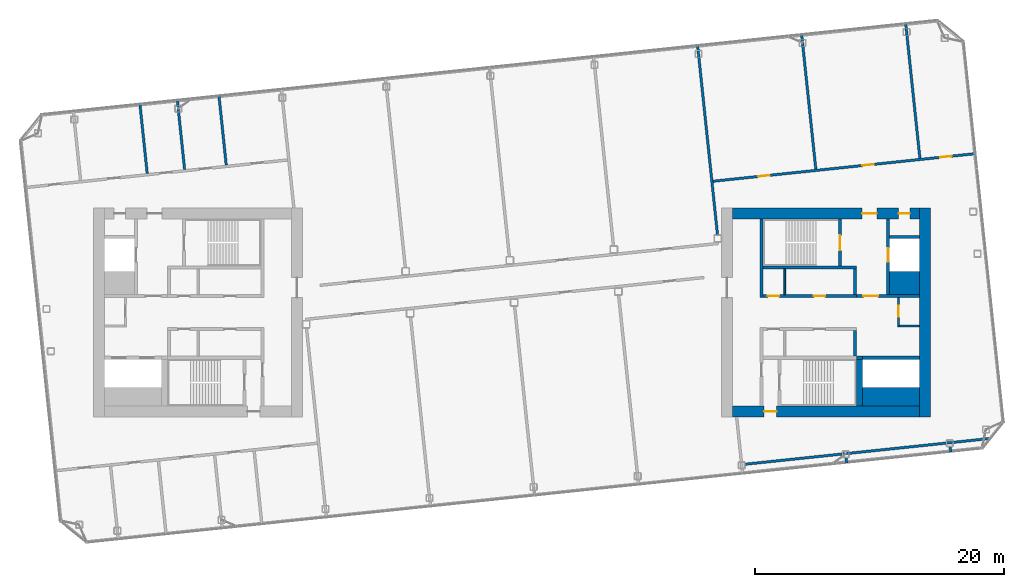
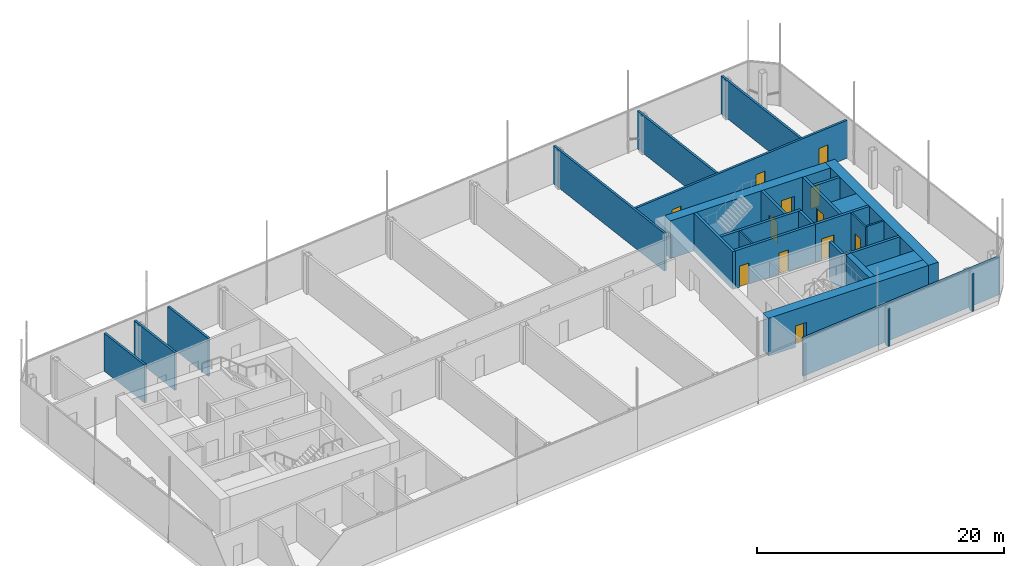
# One storey, part 19 of 41: 30 walls, 12 doors, 12 openings.
"""IFC4 building model written with IfcOpenShell, lengths in metres."""

from ifc_helpers import new_model, si_unit, direction, frame, frame_2d, origin, place, context, subcontext, project, spatial, rectangle, extrude, material, layer, layer_set, type_object, element, fill, save


model = new_model("IFC4")

# Units and contexts
model_context = context("Model", 3, precision=1e-05, world=origin(), true_north=direction((0.0, 1.0)))
body_context = subcontext(model_context, "Body", "Model", "MODEL_VIEW")
ifc_project = project(units=[si_unit("LENGTHUNIT", "METRE"), si_unit("AREAUNIT", "SQUARE_METRE"), si_unit("VOLUMEUNIT", "CUBIC_METRE"), si_unit("PLANEANGLEUNIT", "RADIAN"), si_unit("MASSUNIT", "GRAM", prefix="KILO")], contexts=[model_context])

# Site, building, storey
site_placement = place(None, origin())
site = spatial("IfcSite", under=ifc_project, at=site_placement, CompositionType="ELEMENT")
building_placement = place(site_placement, origin())
building = spatial("IfcBuilding", under=site, at=building_placement, Name="Hakoniwa Tower and Hamabe Station Hall", CompositionType="ELEMENT")
storey_placement = place(building_placement, frame((0.0, 0.0, 276.60009765625)))
storey = spatial("IfcBuildingStorey", under=building, at=storey_placement, Name="L77", CompositionType="ELEMENT", Elevation=276.60009765625)

# Wall, opening, door
ifc_material_1 = material(Name="Gypsum board partition")
ifc_layer_1 = layer(ifc_material_1, 0.14990234375)
ifc_layer_set_1 = layer_set([ifc_layer_1], Name="CORE PARTITION 150 EI 60")
wall_type_1 = type_object("IfcWallType", Name="CORE PARTITION 150 EI 60", PredefinedType="PARTITIONING", material=ifc_layer_set_1)
wall_1_placement = place(storey_placement, frame((31.02490234375, -1.14990234375, 0.0), z_axis=(0.0, 0.0, 1.0), x_axis=(0.0, 1.0, 0.0)))
wall_1 = element("IfcWall", 1, at=wall_1_placement, inside=storey, type_object=wall_type_1, Name="Core partition PW0 east", PredefinedType="PARTITIONING", context=body_context, shape_type="SweptSolid", body=[
    extrude(rectangle(XDim=2.349853515625, YDim=0.14990234375, at=frame_2d((1.1748046875, 0.0))), origin(), (0.0, 0.0, 1.0), 3.75),
])
opening_1_placement = place(wall_1_placement, frame((0.800048828125, 0.0, 0.0)))
opening_1 = element("IfcOpeningElement", 2, at=opening_1_placement, cuts=wall_1, Name="Opening CD-E-RM1-9", PredefinedType="OPENING", context=body_context, shape_type="SweptSolid", body=[
    extrude(rectangle(XDim=0.89990234375, YDim=2.10009765625, at=frame_2d((0.449951171875, 1.050048828125))), frame((0.0, 0.0849609375, 0.0), z_axis=(0.0, -1.0, 0.0), x_axis=(1.0, 0.0, 0.0)), (0.0, 0.0, 1.0), 0.169921875),
])
ifc_material_2 = material(Name="Steel fire door", Category="steel")
door_type_1 = type_object("IfcDoorType", Name="CORE DOOR 900 FD30", OperationType="NOTDEFINED", PredefinedType="DOOR", material=ifc_material_2)
door_1_placement = place(opening_1_placement, origin())
door_1 = element("IfcDoor", 3, at=door_1_placement, inside=storey, type_object=door_type_1, Name="Store room door", OperationType="SINGLE_SWING_LEFT", OverallHeight=2.10009765625, OverallWidth=0.89990234375, PredefinedType="DOOR", context=body_context, shape_type="SweptSolid", body=[
    extrude(rectangle(XDim=0.89990234375, YDim=2.10009765625, at=frame_2d((0.449951171875, 1.050048828125))), frame((0.0, 0.02490234375, 0.0), z_axis=(0.0, -1.0, 0.0), x_axis=(1.0, 0.0, 0.0)), (0.0, 0.0, 1.0), 0.050048828125),
])
fill(opening_1, door_1)

# Walls
wall_2_placement = place(storey_placement, frame((31.10009765625, -1.074951171875, 0.0), z_axis=(0.0, 0.0, 1.0), x_axis=(1.0, 0.0, 0.0)))
element("IfcWall", 4, at=wall_2_placement, inside=storey, type_object=wall_type_1, Name="Core partition PS east", PredefinedType="PARTITIONING", context=body_context, shape_type="SweptSolid", body=[
    extrude(rectangle(XDim=1.599853515625, YDim=0.14990234375, at=frame_2d((0.7998046875, 0.0))), origin(), (0.0, 0.0, 1.0), 3.75),
])
wall_3_placement = place(storey_placement, frame((21.89990234375, 1.449951171875, 0.0), z_axis=(0.0, 0.0, 1.0), x_axis=(0.0, 1.0, 0.0)))
element("IfcWall", 5, at=wall_3_placement, inside=storey, type_object=wall_type_1, Name="Core partition PFLR0 east", PredefinedType="PARTITIONING", context=body_context, shape_type="SweptSolid", body=[
    extrude(rectangle(XDim=2.050048828125, YDim=0.14990234375, at=frame_2d((1.02490234375, 0.0))), origin(), (0.0, 0.0, 1.0), 3.75),
])
ifc_material_3 = material(Name="Concrete C60", Category="concrete")
ifc_layer_2 = layer(ifc_material_3, 0.89990234375)
ifc_layer_set_2 = layer_set([ifc_layer_2], Name="CORE WALL 900 C60")
wall_type_2 = type_object("IfcWallType", Name="CORE WALL 900 C60", PredefinedType="SHEAR", material=ifc_layer_set_2)
wall_4_placement = place(storey_placement, frame((33.14990234375, -8.39990234375, 0.0), z_axis=(0.0, 0.0, 1.0), x_axis=(0.0, 1.0, 0.0)))
element("IfcWall", 6, at=wall_4_placement, inside=storey, type_object=wall_type_2, Name="Core wall OUTER east", PredefinedType="SHEAR", context=body_context, shape_type="SweptSolid", body=[
    extrude(rectangle(XDim=16.7998046875, YDim=0.89990234375, at=frame_2d((8.39990234375, 0.0))), origin(), (0.0, 0.0, 1.0), 3.75),
])

# Wall, openings, doors
wall_5_placement = place(storey_placement, frame((17.699951171875, 7.949951171875, 0.0), z_axis=(0.0, 0.0, 1.0), x_axis=(1.0, 0.0, 0.0)))
wall_5 = element("IfcWall", 7, at=wall_5_placement, inside=storey, type_object=wall_type_2, Name="Core wall NORTH east", PredefinedType="SHEAR", context=body_context, shape_type="SweptSolid", body=[
    extrude(rectangle(XDim=15.0, YDim=0.89990234375, at=frame_2d((7.5, 0.0))), origin(), (0.0, 0.0, 1.0), 3.75),
])
opening_2_placement = place(wall_5_placement, frame((10.39990234375, 0.0, 0.0)))
opening_2 = element("IfcOpeningElement", 8, at=opening_2_placement, cuts=wall_5, Name="Opening CD-E-FN1-12", PredefinedType="OPENING", context=body_context, shape_type="SweptSolid", body=[
    extrude(rectangle(XDim=1.199951171875, YDim=2.10009765625, at=frame_2d((0.60009765625, 1.050048828125))), frame((0.0, 0.4599609375, 0.0), z_axis=(0.0, -1.0, 0.0), x_axis=(1.0, 0.0, 0.0)), (0.0, 0.0, 1.0), 0.919921875),
])
opening_3_placement = place(wall_5_placement, frame((13.35009765625, 0.0, 0.0)))
opening_3 = element("IfcOpeningElement", 9, at=opening_3_placement, cuts=wall_5, Name="Opening CD-E-FN2-9", PredefinedType="OPENING", context=body_context, shape_type="SweptSolid", body=[
    extrude(rectangle(XDim=0.89990234375, YDim=2.10009765625, at=frame_2d((0.449951171875, 1.050048828125))), frame((0.0, 0.4599609375, 0.0), z_axis=(0.0, -1.0, 0.0), x_axis=(1.0, 0.0, 0.0)), (0.0, 0.0, 1.0), 0.919921875),
])
ifc_material_4 = material(Name="Steel fire door", Category="steel")
door_type_2 = type_object("IfcDoorType", Name="CORE DOOR 1200 FD60", OperationType="DOUBLE_DOOR_SINGLE_SWING", PredefinedType="DOOR", material=ifc_material_4)
door_2_placement = place(opening_2_placement, origin())
door_2 = element("IfcDoor", 10, at=door_2_placement, inside=storey, type_object=door_type_2, Name="Stair vestibule door to the fire-fighting lobby", OperationType="DOUBLE_DOOR_SINGLE_SWING", OverallHeight=2.10009765625, OverallWidth=1.199951171875, PredefinedType="DOOR", context=body_context, shape_type="SweptSolid", body=[
    extrude(rectangle(XDim=1.199951171875, YDim=2.10009765625, at=frame_2d((0.60009765625, 1.050048828125))), frame((0.0, 0.02490234375, 0.0), z_axis=(0.0, -1.0, 0.0), x_axis=(1.0, 0.0, 0.0)), (0.0, 0.0, 1.0), 0.050048828125),
])
fill(opening_2, door_2)
door_3_placement = place(opening_3_placement, origin())
door_3 = element("IfcDoor", 11, at=door_3_placement, inside=storey, type_object=door_type_1, Name="Riser access door", OperationType="SINGLE_SWING_LEFT", OverallHeight=2.10009765625, OverallWidth=0.89990234375, PredefinedType="DOOR", context=body_context, shape_type="SweptSolid", body=[
    extrude(rectangle(XDim=0.89990234375, YDim=2.10009765625, at=frame_2d((0.449951171875, 1.050048828125))), frame((0.0, 0.02490234375, 0.0), z_axis=(0.0, -1.0, 0.0), x_axis=(1.0, 0.0, 0.0)), (0.0, 0.0, 1.0), 0.050048828125),
])
fill(opening_3, door_3)

# Wall, opening, door
wall_6_placement = place(storey_placement, frame((17.699951171875, -7.949951171875, 0.0), z_axis=(0.0, 0.0, 1.0), x_axis=(1.0, 0.0, 0.0)))
wall_6 = element("IfcWall", 12, at=wall_6_placement, inside=storey, type_object=wall_type_2, Name="Core wall SOUTH east", PredefinedType="SHEAR", context=body_context, shape_type="SweptSolid", body=[
    extrude(rectangle(XDim=15.0, YDim=0.89990234375, at=frame_2d((7.5, 0.0))), origin(), (0.0, 0.0, 1.0), 3.75),
])
opening_4_placement = place(wall_6_placement, frame((2.550048828125, 0.0, 0.0)))
opening_4 = element("IfcOpeningElement", 13, at=opening_4_placement, cuts=wall_6, Name="Opening CD-E-FS3-10", PredefinedType="OPENING", context=body_context, shape_type="SweptSolid", body=[
    extrude(rectangle(XDim=1.0, YDim=2.10009765625, at=frame_2d((0.5, 1.050048828125))), frame((0.0, 0.4599609375, 0.0), z_axis=(0.0, -1.0, 0.0), x_axis=(1.0, 0.0, 0.0)), (0.0, 0.0, 1.0), 0.919921875),
])
ifc_material_5 = material(Name="Steel fire door", Category="steel")
door_type_3 = type_object("IfcDoorType", Name="CORE DOOR 1000 FD60", OperationType="NOTDEFINED", PredefinedType="DOOR", material=ifc_material_5)
door_4_placement = place(opening_4_placement, origin())
door_4 = element("IfcDoor", 14, at=door_4_placement, inside=storey, type_object=door_type_3, Name="Stair vestibule door", OperationType="SINGLE_SWING_LEFT", OverallHeight=2.10009765625, OverallWidth=1.0, PredefinedType="DOOR", context=body_context, shape_type="SweptSolid", body=[
    extrude(rectangle(XDim=1.0, YDim=2.10009765625, at=frame_2d((0.5, 1.050048828125))), frame((0.0, 0.02490234375, 0.0), z_axis=(0.0, -1.0, 0.0), x_axis=(1.0, 0.0, 0.0)), (0.0, 0.0, 1.0), 0.050048828125),
])
fill(opening_4, door_4)

# Walls
ifc_material_6 = material(Name="Concrete C60", Category="concrete")
ifc_layer_3 = layer(ifc_material_6, 1.5)
ifc_layer_set_3 = layer_set([ifc_layer_3], Name="CORE WEB WALL 1500 C60")
wall_type_3 = type_object("IfcWallType", Name="CORE WEB WALL 1500 C60", PredefinedType="SHEAR", material=ifc_layer_set_3)
wall_7_placement = place(storey_placement, frame((28.14990234375, -6.75, 0.0), z_axis=(0.0, 0.0, 1.0), x_axis=(1.0, 0.0, 0.0)))
element("IfcWall", 15, at=wall_7_placement, inside=storey, type_object=wall_type_3, Name="Core wall SER east", PredefinedType="SHEAR", context=body_context, shape_type="SweptSolid", body=[
    extrude(rectangle(XDim=4.550048828125, YDim=1.5, at=frame_2d((2.27490234375, 0.0))), origin(), (0.0, 0.0, 1.0), 3.75),
])
ifc_material_7 = material(Name="Concrete C60", Category="concrete")
ifc_layer_4 = layer(ifc_material_7, 1.85009765625)
ifc_layer_set_4 = layer_set([ifc_layer_4], Name="CORE WEB WALL 1850 C60")
wall_type_4 = type_object("IfcWallType", Name="CORE WEB WALL 1850 C60", PredefinedType="SHEAR", material=ifc_layer_set_4)
wall_8_placement = place(storey_placement, frame((30.300048828125, 2.375, 0.0), z_axis=(0.0, 0.0, 1.0), x_axis=(1.0, 0.0, 0.0)))
element("IfcWall", 16, at=wall_8_placement, inside=storey, type_object=wall_type_4, Name="Core wall CA east", PredefinedType="SHEAR", context=body_context, shape_type="SweptSolid", body=[
    extrude(rectangle(XDim=2.39990234375, YDim=1.85009765625, at=frame_2d((1.199951171875, 0.0))), origin(), (0.0, 0.0, 1.0), 3.75),
])
ifc_material_8 = material(Name="Concrete C60", Category="concrete")
ifc_layer_5 = layer(ifc_material_8, 0.25)
ifc_layer_set_5 = layer_set([ifc_layer_5], Name="CORE WEB WALL 250 C60")
wall_type_5 = type_object("IfcWallType", Name="CORE WEB WALL 250 C60", PredefinedType="SHEAR", material=ifc_layer_set_5)
wall_9_placement = place(storey_placement, frame((20.02490234375, 1.199951171875, 0.0), z_axis=(0.0, 0.0, 1.0), x_axis=(0.0, 1.0, 0.0)))
element("IfcWall", 17, at=wall_9_placement, inside=storey, type_object=wall_type_5, Name="Core wall W1N east", PredefinedType="SHEAR", context=body_context, shape_type="SweptSolid", body=[
    extrude(rectangle(XDim=6.300048828125, YDim=0.25, at=frame_2d((3.14990234375, 0.0))), origin(), (0.0, 0.0, 1.0), 3.75),
])

# Wall, openings, doors
wall_10_placement = place(storey_placement, frame((20.14990234375, 1.324951171875, 0.0), z_axis=(0.0, 0.0, 1.0), x_axis=(1.0, 0.0, 0.0)))
wall_10 = element("IfcWall", 18, at=wall_10_placement, inside=storey, type_object=wall_type_5, Name="Core wall NF east", PredefinedType="SHEAR", context=body_context, shape_type="SweptSolid", body=[
    extrude(rectangle(XDim=7.5, YDim=0.25, at=frame_2d((3.75, 0.0))), origin(), (0.0, 0.0, 1.0), 3.75),
])
opening_5_placement = place(wall_10_placement, frame((0.387451171875, 0.0, 0.0)))
opening_5 = element("IfcOpeningElement", 19, at=opening_5_placement, cuts=wall_10, Name="Opening CD-E-FRLR0-9", PredefinedType="OPENING", context=body_context, shape_type="SweptSolid", body=[
    extrude(rectangle(XDim=0.89990234375, YDim=2.10009765625, at=frame_2d((0.449951171875, 1.050048828125))), frame((0.0, 0.135009765625, 0.0), z_axis=(0.0, -1.0, 0.0), x_axis=(1.0, 0.0, 0.0)), (0.0, 0.0, 1.0), 0.27001953125),
])
opening_6_placement = place(wall_10_placement, frame((4.08740234375, 0.0, 0.0)))
opening_6 = element("IfcOpeningElement", 20, at=opening_6_placement, cuts=wall_10, Name="Opening CD-E-FRLR1-9", PredefinedType="OPENING", context=body_context, shape_type="SweptSolid", body=[
    extrude(rectangle(XDim=0.89990234375, YDim=2.10009765625, at=frame_2d((0.449951171875, 1.050048828125))), frame((0.0, 0.135009765625, 0.0), z_axis=(0.0, -1.0, 0.0), x_axis=(1.0, 0.0, 0.0)), (0.0, 0.0, 1.0), 0.27001953125),
])
door_5_placement = place(opening_5_placement, origin())
door_5 = element("IfcDoor", 21, at=door_5_placement, inside=storey, type_object=door_type_1, Name="Store room door", OperationType="SINGLE_SWING_LEFT", OverallHeight=2.10009765625, OverallWidth=0.89990234375, PredefinedType="DOOR", context=body_context, shape_type="SweptSolid", body=[
    extrude(rectangle(XDim=0.89990234375, YDim=2.10009765625, at=frame_2d((0.449951171875, 1.050048828125))), frame((0.0, 0.02490234375, 0.0), z_axis=(0.0, -1.0, 0.0), x_axis=(1.0, 0.0, 0.0)), (0.0, 0.0, 1.0), 0.050048828125),
])
fill(opening_5, door_5)
door_6_placement = place(opening_6_placement, origin())
door_6 = element("IfcDoor", 22, at=door_6_placement, inside=storey, type_object=door_type_1, Name="Store room door", OperationType="SINGLE_SWING_RIGHT", OverallHeight=2.10009765625, OverallWidth=0.89990234375, PredefinedType="DOOR", context=body_context, shape_type="SweptSolid", body=[
    extrude(rectangle(XDim=0.89990234375, YDim=2.10009765625, at=frame_2d((0.449951171875, 1.050048828125))), frame((0.0, 0.02490234375, 0.0), z_axis=(0.0, -1.0, 0.0), x_axis=(1.0, 0.0, 0.0)), (0.0, 0.0, 1.0), 0.050048828125),
])
fill(opening_6, door_6)

# Walls
wall_11_placement = place(storey_placement, frame((27.52490234375, 1.449951171875, 0.0), z_axis=(0.0, 0.0, 1.0), x_axis=(0.0, 1.0, 0.0)))
element("IfcWall", 23, at=wall_11_placement, inside=storey, type_object=wall_type_5, Name="Core wall NE east", PredefinedType="SHEAR", context=body_context, shape_type="SweptSolid", body=[
    extrude(rectangle(XDim=2.050048828125, YDim=0.25, at=frame_2d((1.02490234375, 0.0))), origin(), (0.0, 0.0, 1.0), 3.75),
])
wall_12_placement = place(storey_placement, frame((20.14990234375, 3.625, 0.0), z_axis=(0.0, 0.0, 1.0), x_axis=(1.0, 0.0, 0.0)))
element("IfcWall", 24, at=wall_12_placement, inside=storey, type_object=wall_type_5, Name="Core wall NR east", PredefinedType="SHEAR", context=body_context, shape_type="SweptSolid", body=[
    extrude(rectangle(XDim=7.5, YDim=0.25, at=frame_2d((3.75, 0.0))), origin(), (0.0, 0.0, 1.0), 3.75),
])

# Wall, opening, door
wall_13_placement = place(storey_placement, frame((26.324951171875, 3.75, 0.0), z_axis=(0.0, 0.0, 1.0), x_axis=(0.0, 1.0, 0.0)))
wall_13 = element("IfcWall", 25, at=wall_13_placement, inside=storey, type_object=wall_type_5, Name="Core wall NSE east", PredefinedType="SHEAR", context=body_context, shape_type="SweptSolid", body=[
    extrude(rectangle(XDim=3.75, YDim=0.25, at=frame_2d((1.875, 0.0))), origin(), (0.0, 0.0, 1.0), 3.75),
])
opening_7_placement = place(wall_13_placement, frame((1.25, 0.0, 0.0)))
opening_7 = element("IfcOpeningElement", 26, at=opening_7_placement, cuts=wall_13, Name="Opening CD-E-SN-12", PredefinedType="OPENING", context=body_context, shape_type="SweptSolid", body=[
    extrude(rectangle(XDim=1.199951171875, YDim=2.10009765625, at=frame_2d((0.60009765625, 1.050048828125))), frame((0.0, 0.135009765625, 0.0), z_axis=(0.0, -1.0, 0.0), x_axis=(1.0, 0.0, 0.0)), (0.0, 0.0, 1.0), 0.27001953125),
])
door_7_placement = place(opening_7_placement, origin())
door_7 = element("IfcDoor", 27, at=door_7_placement, inside=storey, type_object=door_type_2, Name="Escape stair door", OperationType="DOUBLE_DOOR_SINGLE_SWING", OverallHeight=2.10009765625, OverallWidth=1.199951171875, PredefinedType="DOOR", context=body_context, shape_type="SweptSolid", body=[
    extrude(rectangle(XDim=1.199951171875, YDim=2.10009765625, at=frame_2d((0.60009765625, 1.050048828125))), frame((0.0, 0.02490234375, 0.0), z_axis=(0.0, -1.0, 0.0), x_axis=(1.0, 0.0, 0.0)), (0.0, 0.0, 1.0), 0.050048828125),
])
fill(opening_7, door_7)

wall_14_placement = place(storey_placement, frame((27.64990234375, 1.324951171875, 0.0), z_axis=(0.0, 0.0, 1.0), x_axis=(1.0, 0.0, 0.0)))
wall_14 = element("IfcWall", 28, at=wall_14_placement, inside=storey, type_object=wall_type_5, Name="Core wall ELN east", PredefinedType="SHEAR", context=body_context, shape_type="SweptSolid", body=[
    extrude(rectangle(XDim=5.050048828125, YDim=0.25, at=frame_2d((2.52490234375, 0.0))), origin(), (0.0, 0.0, 1.0), 3.75),
])
opening_8_placement = place(wall_14_placement, frame((0.550048828125, 0.0, 0.0)))
opening_8 = element("IfcOpeningElement", 29, at=opening_8_placement, cuts=wall_14, Name="Opening CD-E-FL-12", PredefinedType="OPENING", context=body_context, shape_type="SweptSolid", body=[
    extrude(rectangle(XDim=1.199951171875, YDim=2.10009765625, at=frame_2d((0.60009765625, 1.050048828125))), frame((0.0, 0.135009765625, 0.0), z_axis=(0.0, -1.0, 0.0), x_axis=(1.0, 0.0, 0.0)), (0.0, 0.0, 1.0), 0.27001953125),
])
door_8_placement = place(opening_8_placement, origin())
door_8 = element("IfcDoor", 30, at=door_8_placement, inside=storey, type_object=door_type_2, Name="Stair vestibule door to the fire-fighting lobby", OperationType="DOUBLE_DOOR_SINGLE_SWING", OverallHeight=2.10009765625, OverallWidth=1.199951171875, PredefinedType="DOOR", context=body_context, shape_type="SweptSolid", body=[
    extrude(rectangle(XDim=1.199951171875, YDim=2.10009765625, at=frame_2d((0.60009765625, 1.050048828125))), frame((0.0, 0.02490234375, 0.0), z_axis=(0.0, -1.0, 0.0), x_axis=(1.0, 0.0, 0.0)), (0.0, 0.0, 1.0), 0.050048828125),
])
fill(opening_8, door_8)

wall_15_placement = place(storey_placement, frame((30.175048828125, 1.449951171875, 0.0), z_axis=(0.0, 0.0, 1.0), x_axis=(0.0, 1.0, 0.0)))
wall_15 = element("IfcWall", 31, at=wall_15_placement, inside=storey, type_object=wall_type_5, Name="Core wall FFF east", PredefinedType="SHEAR", context=body_context, shape_type="SweptSolid", body=[
    extrude(rectangle(XDim=6.050048828125, YDim=0.25, at=frame_2d((3.02490234375, 0.0))), origin(), (0.0, 0.0, 1.0), 3.75),
])
opening_9_placement = place(wall_15_placement, frame((2.625, 0.0, 0.0)))
opening_9 = element("IfcOpeningElement", 32, at=opening_9_placement, cuts=wall_15, Name="Opening LD-FF2", PredefinedType="OPENING", context=body_context, shape_type="SweptSolid", body=[
    extrude(rectangle(XDim=1.10009765625, YDim=2.10009765625, at=frame_2d((0.550048828125, 1.050048828125))), frame((0.0, 0.135009765625, 0.0), z_axis=(0.0, -1.0, 0.0), x_axis=(1.0, 0.0, 0.0)), (0.0, 0.0, 1.0), 0.27001953125),
])
ifc_material_9 = material(Name="Stainless steel SUS304", Category="steel")
door_type_4 = type_object("IfcDoorType", Name="LIFT LANDING DOOR 1100 FD60", OperationType="DOUBLE_DOOR_SLIDING", PredefinedType="DOOR", material=ifc_material_9)
door_9_placement = place(opening_9_placement, origin())
door_9 = element("IfcDoor", 33, at=door_9_placement, inside=storey, type_object=door_type_4, Name="Lift landing door FF2 L77", OperationType="DOUBLE_DOOR_SLIDING", OverallHeight=2.10009765625, OverallWidth=1.10009765625, PredefinedType="DOOR", context=body_context, shape_type="SweptSolid", body=[
    extrude(rectangle(XDim=1.10009765625, YDim=2.10009765625, at=frame_2d((0.550048828125, 1.050048828125))), frame((0.0, 0.02490234375, 0.0), z_axis=(0.0, -1.0, 0.0), x_axis=(1.0, 0.0, 0.0)), (0.0, 0.0, 1.0), 0.050048828125),
])
fill(opening_9, door_9)

# Walls
wall_16_placement = place(storey_placement, frame((30.300048828125, 6.074951171875, 0.0), z_axis=(0.0, 0.0, 1.0), x_axis=(1.0, 0.0, 0.0)))
element("IfcWall", 34, at=wall_16_placement, inside=storey, type_object=wall_type_5, Name="Core wall C2 east", PredefinedType="SHEAR", context=body_context, shape_type="SweptSolid", body=[
    extrude(rectangle(XDim=2.39990234375, YDim=0.25, at=frame_2d((1.199951171875, 0.0))), origin(), (0.0, 0.0, 1.0), 3.75),
])
wall_17_placement = place(storey_placement, frame((27.52490234375, -3.5, 0.0), z_axis=(0.0, 0.0, 1.0), x_axis=(0.0, 1.0, 0.0)))
element("IfcWall", 35, at=wall_17_placement, inside=storey, type_object=wall_type_5, Name="Core wall SE east", PredefinedType="SHEAR", context=body_context, shape_type="SweptSolid", body=[
    extrude(rectangle(XDim=2.050048828125, YDim=0.25, at=frame_2d((1.02490234375, 0.0))), origin(), (0.0, 0.0, 1.0), 3.75),
])
wall_18_placement = place(storey_placement, frame((28.14990234375, -3.625, 0.0), z_axis=(0.0, 0.0, 1.0), x_axis=(1.0, 0.0, 0.0)))
element("IfcWall", 36, at=wall_18_placement, inside=storey, type_object=wall_type_5, Name="Core wall SEF east", PredefinedType="SHEAR", context=body_context, shape_type="SweptSolid", body=[
    extrude(rectangle(XDim=4.550048828125, YDim=0.25, at=frame_2d((2.27490234375, 0.0))), origin(), (0.0, 0.0, 1.0), 3.75),
])
wall_19_placement = place(storey_placement, frame((27.64990234375, -3.625, 0.0), z_axis=(0.0, 0.0, 1.0), x_axis=(1.0, 0.0, 0.0)))
element("IfcWall", 37, at=wall_19_placement, inside=storey, type_object=wall_type_5, Name="Core wall SRK east", PredefinedType="SHEAR", context=body_context, shape_type="SweptSolid", body=[
    extrude(rectangle(XDim=0.5, YDim=0.25, at=frame_2d((0.25, 0.0))), origin(), (0.0, 0.0, 1.0), 3.75),
])
ifc_material_10 = material(Name="Concrete C60", Category="concrete")
ifc_layer_6 = layer(ifc_material_10, 0.5)
ifc_layer_set_6 = layer_set([ifc_layer_6], Name="CORE WEB WALL 500 C60")
wall_type_6 = type_object("IfcWallType", Name="CORE WEB WALL 500 C60", PredefinedType="SHEAR", material=ifc_layer_set_6)
wall_20_placement = place(storey_placement, frame((27.89990234375, -7.5, 0.0), z_axis=(0.0, 0.0, 1.0), x_axis=(0.0, 1.0, 0.0)))
element("IfcWall", 38, at=wall_20_placement, inside=storey, type_object=wall_type_6, Name="Core wall SSE east", PredefinedType="SHEAR", context=body_context, shape_type="SweptSolid", body=[
    extrude(rectangle(XDim=3.75, YDim=0.5, at=frame_2d((1.875, 0.0))), origin(), (0.0, 0.0, 1.0), 3.75),
])
ifc_material_11 = material(Name="Fire-rated gypsum board partition", Category="gypsum")
ifc_layer_7 = layer(ifc_material_11, 0.199951171875)
ifc_layer_set_7 = layer_set([ifc_layer_7], Name="Corridor Wall 200")
wall_type_7 = type_object("IfcWallType", Name="Corridor Wall 200", PredefinedType="PARTITIONING", material=ifc_layer_set_7)
wall_21_placement = place(storey_placement, frame((18.708251953125, -12.17724609375, 0.0), z_axis=(0.0, 0.0, 1.0), x_axis=(0.994521604238, 0.104531233147, 0.0)))
element("IfcWall", 39, at=wall_21_placement, inside=storey, type_object=wall_type_7, Name="GW-L77-001", PredefinedType="PARTITIONING", context=body_context, shape_type="SweptSolid", body=[
    extrude(rectangle(XDim=19.6982421875, YDim=0.199951171875, at=frame_2d((9.84912109375, 0.0))), origin(), (0.0, 0.0, 1.0), 3.75),
])

# Wall, openings, doors
wall_22_placement = place(storey_placement, frame((16.04833984375, 10.533203125, 0.0), z_axis=(0.0, 0.0, 1.0), x_axis=(0.994522460242, 0.104523088709, 0.0)))
wall_22 = element("IfcWall", 40, at=wall_22_placement, inside=storey, type_object=wall_type_7, Name="GW-L77-005", PredefinedType="PARTITIONING", context=body_context, shape_type="SweptSolid", body=[
    extrude(rectangle(XDim=21.2998046875, YDim=0.199951171875, at=frame_2d((10.64990234375, 0.0))), origin(), (0.0, 0.0, 1.0), 3.75),
])
opening_10_placement = place(wall_22_placement, frame((3.75, 0.0, 0.0)))
opening_10 = element("IfcOpeningElement", 41, at=opening_10_placement, cuts=wall_22, Name="Opening GD-SL77-14", PredefinedType="OPENING", context=body_context, shape_type="SweptSolid", body=[
    extrude(rectangle(XDim=0.89990234375, YDim=2.10009765625, at=frame_2d((0.449951171875, 1.050048828125))), frame((0.0, 0.10986328125, 0.0), z_axis=(0.0, -1.0, 0.0), x_axis=(1.0, 0.0, 0.0)), (0.0, 0.0, 1.0), 0.219970703125),
])
opening_11_placement = place(wall_22_placement, frame((12.14990234375, 0.0, 0.0)))
opening_11 = element("IfcOpeningElement", 42, at=opening_11_placement, cuts=wall_22, Name="Opening GD-SL77-15", PredefinedType="OPENING", context=body_context, shape_type="SweptSolid", body=[
    extrude(rectangle(XDim=0.89990234375, YDim=2.10009765625, at=frame_2d((0.449951171875, 1.050048828125))), frame((0.0, 0.10986328125, 0.0), z_axis=(0.0, -1.0, 0.0), x_axis=(1.0, 0.0, 0.0)), (0.0, 0.0, 1.0), 0.219970703125),
])
opening_12_placement = place(wall_22_placement, frame((18.449951171875, 0.0, 0.0)))
opening_12 = element("IfcOpeningElement", 43, at=opening_12_placement, cuts=wall_22, Name="Opening GD-SL77-16", PredefinedType="OPENING", context=body_context, shape_type="SweptSolid", body=[
    extrude(rectangle(XDim=0.89990234375, YDim=2.10009765625, at=frame_2d((0.449951171875, 1.050048828125))), frame((0.0, 0.10986328125, 0.0), z_axis=(0.0, -1.0, 0.0), x_axis=(1.0, 0.0, 0.0)), (0.0, 0.0, 1.0), 0.219970703125),
])
ifc_material_12 = material(Name="Timber door leaf", Category="wood")
door_type_5 = type_object("IfcDoorType", Name="Service Door 900", OperationType="SINGLE_SWING_LEFT", PredefinedType="DOOR", material=ifc_material_12)
door_10_placement = place(opening_10_placement, origin())
door_10 = element("IfcDoor", 44, at=door_10_placement, inside=storey, type_object=door_type_5, Name="Door GD-SL77-14", OperationType="SINGLE_SWING_LEFT", OverallHeight=2.10009765625, OverallWidth=0.89990234375, PredefinedType="DOOR", context=body_context, shape_type="SweptSolid", body=[
    extrude(rectangle(XDim=0.89990234375, YDim=2.10009765625, at=frame_2d((0.449951171875, 1.050048828125))), frame((0.0, 0.02490234375, 0.0), z_axis=(0.0, -1.0, 0.0), x_axis=(1.0, 0.0, 0.0)), (0.0, 0.0, 1.0), 0.050048828125),
])
fill(opening_10, door_10)
door_11_placement = place(opening_11_placement, origin())
door_11 = element("IfcDoor", 45, at=door_11_placement, inside=storey, type_object=door_type_5, Name="Door GD-SL77-15", OperationType="SINGLE_SWING_RIGHT", OverallHeight=2.10009765625, OverallWidth=0.89990234375, PredefinedType="DOOR", context=body_context, shape_type="SweptSolid", body=[
    extrude(rectangle(XDim=0.89990234375, YDim=2.10009765625, at=frame_2d((0.449951171875, 1.050048828125))), frame((0.0, 0.02490234375, 0.0), z_axis=(0.0, -1.0, 0.0), x_axis=(1.0, 0.0, 0.0)), (0.0, 0.0, 1.0), 0.050048828125),
])
fill(opening_11, door_11)
door_12_placement = place(opening_12_placement, origin())
door_12 = element("IfcDoor", 46, at=door_12_placement, inside=storey, type_object=door_type_5, Name="Door GD-SL77-16", OperationType="SINGLE_SWING_RIGHT", OverallHeight=2.10009765625, OverallWidth=0.89990234375, PredefinedType="DOOR", context=body_context, shape_type="SweptSolid", body=[
    extrude(rectangle(XDim=0.89990234375, YDim=2.10009765625, at=frame_2d((0.449951171875, 1.050048828125))), frame((0.0, 0.02490234375, 0.0), z_axis=(0.0, -1.0, 0.0), x_axis=(1.0, 0.0, 0.0)), (0.0, 0.0, 1.0), 0.050048828125),
])
fill(opening_12, door_12)

# Walls
ifc_material_13 = material(Name="Fire-rated gypsum board partition", Category="gypsum")
ifc_layer_8 = layer(ifc_material_13, 0.199951171875)
ifc_layer_set_8 = layer_set([ifc_layer_8], Name="Party Wall 200")
wall_type_8 = type_object("IfcWallType", Name="Party Wall 200", PredefinedType="PARTITIONING", material=ifc_layer_set_8)
for number, where, z_axis, x_axis, name in (
    (47, (-29.286376953125, 11.166015625, 0.0), (0.0, 0.0, 1.0), (-0.104517448482, 0.994523053007, 0.0), "GW-L77-010"),
    (48, (-26.28271484375, 11.481689453125, 0.0), (0.0, 0.0, 1.0), (-0.104560413987, 0.994518536693, 0.0), "GW-L77-012"),
    (49, (-22.941162109375, 11.8330078125, 0.0), (0.0, 0.0, 1.0), (-0.104560413987, 0.994518536693, 0.0), "GW-L77-014"),
):
    element("IfcWall", number, at=place(storey_placement, frame(where, z_axis=z_axis, x_axis=x_axis)), inside=storey, type_object=wall_type_8, Name=name, PredefinedType="PARTITIONING", context=body_context, shape_type="SweptSolid", body=[
        extrude(rectangle(XDim=5.6201171875, YDim=0.199951171875, at=frame_2d((2.81005859375, 0.0))), origin(), (0.0, 0.0, 1.0), 3.75),
    ])
wall_23_placement = place(storey_placement, frame((16.499755859375, 6.23681640625, 0.0), z_axis=(0.0, 0.0, 1.0), x_axis=(-0.104523729364, 0.99452239291, 0.0)))
element("IfcWall", 50, at=wall_23_placement, inside=storey, type_object=wall_type_8, Name="GW-L77-024", PredefinedType="PARTITIONING", context=body_context, shape_type="SweptSolid", body=[
    extrude(rectangle(XDim=15.308349609375, YDim=0.199951171875, at=frame_2d((7.654296875, 0.0))), origin(), (0.0, 0.0, 1.0), 3.75),
])
wall_24_placement = place(storey_placement, frame((26.870361328125, -12.071044921875, 0.0), z_axis=(0.0, 0.0, 1.0), x_axis=(-0.104743412259, 0.994499279833, 0.0)))
element("IfcWall", 51, at=wall_24_placement, inside=storey, type_object=wall_type_8, Name="GW-L77-025", PredefinedType="PARTITIONING", context=body_context, shape_type="SweptSolid", body=[
    extrude(rectangle(XDim=0.43359375, YDim=0.199951171875, at=frame_2d((0.216796875, 0.0))), origin(), (0.0, 0.0, 1.0), 3.75),
])
wall_25_placement = place(storey_placement, frame((24.391845703125, 11.510498046875, 0.0), z_axis=(0.0, 0.0, 1.0), x_axis=(-0.104530717431, 0.994521658444, 0.0)))
element("IfcWall", 52, at=wall_25_placement, inside=storey, type_object=wall_type_8, Name="GW-L77-026", PredefinedType="PARTITIONING", context=body_context, shape_type="SweptSolid", body=[
    extrude(rectangle(XDim=10.888427734375, YDim=0.199951171875, at=frame_2d((5.4443359375, 0.0))), origin(), (0.0, 0.0, 1.0), 3.75),
])
wall_26_placement = place(storey_placement, frame((35.224365234375, -11.193115234375, 0.0), z_axis=(0.0, 0.0, 1.0), x_axis=(-0.104743412259, 0.994499279833, 0.0)))
element("IfcWall", 53, at=wall_26_placement, inside=storey, type_object=wall_type_8, Name="GW-L77-027", PredefinedType="PARTITIONING", context=body_context, shape_type="SweptSolid", body=[
    extrude(rectangle(XDim=0.43359375, YDim=0.199951171875, at=frame_2d((0.216796875, 0.0))), origin(), (0.0, 0.0, 1.0), 3.75),
])
wall_27_placement = place(storey_placement, frame((32.745849609375, 12.388671875, 0.0), z_axis=(0.0, 0.0, 1.0), x_axis=(-0.104533048416, 0.994521413439, 0.0)))
element("IfcWall", 54, at=wall_27_placement, inside=storey, type_object=wall_type_8, Name="GW-L77-028", PredefinedType="PARTITIONING", context=body_context, shape_type="SweptSolid", body=[
    extrude(rectangle(XDim=10.88818359375, YDim=0.199951171875, at=frame_2d((5.444091796875, 0.0))), origin(), (0.0, 0.0, 1.0), 3.75),
])

save(model, "model.ifc")
